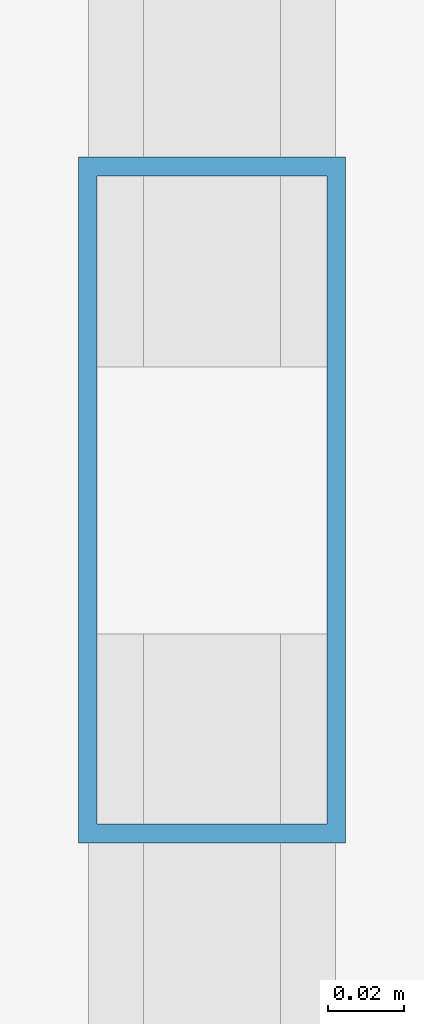
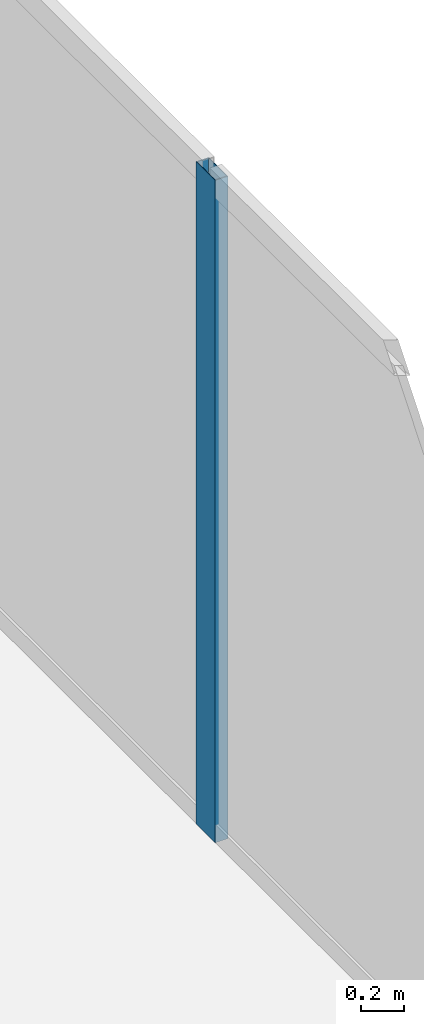
# One storey, part 24 of 33: 1 member, 1 element without a shape of its own.
"""IFC4 building model written with IfcOpenShell, lengths in metres."""

from ifc_helpers import new_model, si_unit, direction, frame, origin, origin_2d, place, context, subcontext, project, spatial, hollow_rectangle, extrude, source, transform, mapped, material, layer, layer_set, material_profile, profile_set, type_object, type_shapes, element, aggregate, save


model = new_model("IFC4")

# Units and contexts
model_context = context("Model", 3, precision=1e-05, world=origin(), true_north=direction((0.0, 1.0)))
body_context = subcontext(model_context, "Body", "Model", "MODEL_VIEW")
ifc_project = project(units=[si_unit("LENGTHUNIT", "METRE"), si_unit("AREAUNIT", "SQUARE_METRE"), si_unit("VOLUMEUNIT", "CUBIC_METRE"), si_unit("PLANEANGLEUNIT", "RADIAN"), si_unit("MASSUNIT", "GRAM", prefix="KILO")], contexts=[model_context])

# Site, building, storey
site_placement = place(None, origin())
site = spatial("IfcSite", under=ifc_project, at=site_placement, CompositionType="ELEMENT")
building_placement = place(site_placement, origin())
building = spatial("IfcBuilding", under=site, at=building_placement, Name="Haelvirn Gate Laboratories", CompositionType="ELEMENT")
storey_placement = place(building_placement, frame((0.0, 0.0, 258.800048828125)))
storey = spatial("IfcBuildingStorey", under=building, at=storey_placement, Name="L62", CompositionType="ELEMENT", Elevation=258.800048828125)

# Curtain wall, member
ifc_material_1 = material(Name="Anodised bronze unitised aluminium & triple low-E glass", Category="aluminium")
ifc_layer = layer(ifc_material_1, 0.176025390625, Name="CW-SYS-4")
ifc_layer_set = layer_set([ifc_layer], Name="Anodised bronze unitised aluminium & triple low-E glass")
curtain_wall_type = type_object("IfcCurtainWallType", Name="CW-SYS-4", PredefinedType="NOTDEFINED", material=ifc_layer_set)
curtain_wall_placement = place(storey_placement, origin())
curtain_wall = element("IfcCurtainWall", 1, at=curtain_wall_placement, inside=storey, type_object=curtain_wall_type, Name="L62 Unitised Curtain Wall CW-L62-P0-E07", PredefinedType="NOTDEFINED")
ifc_material_2 = material(Name="Extruded aluminium 6063-T6 (anodised bronze)", Category="aluminium")
ifc_material_profile = material_profile(ifc_material_2, hollow_rectangle(XDim=0.070068359375, YDim=0.179931640625, WallThickness=0.0048828125, at=origin_2d()), Name="CWM-180x70x5")
ifc_profile_set = profile_set([ifc_material_profile], Name="Extruded aluminium 6063-T6 (anodised bronze)")
member_type = type_object("IfcMemberType", Name="CWM-T180", PredefinedType="MULLION", material=ifc_profile_set)
shared_shape = source(origin(), body_context, "Body", "SweptSolid", [
    extrude(hollow_rectangle(XDim=0.070068359375, YDim=0.179931640625, WallThickness=0.0048828125, at=origin_2d()), origin(), (0.0, 0.0, 1.0), 3.800048828125),
])
type_shapes(member_type, [shared_shape])
member_placement = place(storey_placement, frame((70.699951171875, 24.300048828125, 0.0), z_axis=(0.0, 0.0, 1.0), x_axis=(-1.0, 0.0, 0.0)))
member = element("IfcMember", 2, at=member_placement, type_object=member_type, Name="CW4 mullion 2", PredefinedType="MULLION", context=body_context, shape_type="MappedRepresentation", body=[
    mapped(shared_shape, transform((0.0, 0.0, 0.0), scale=1.0)),
])
aggregate(curtain_wall, [member])

save(model, "model.ifc")
